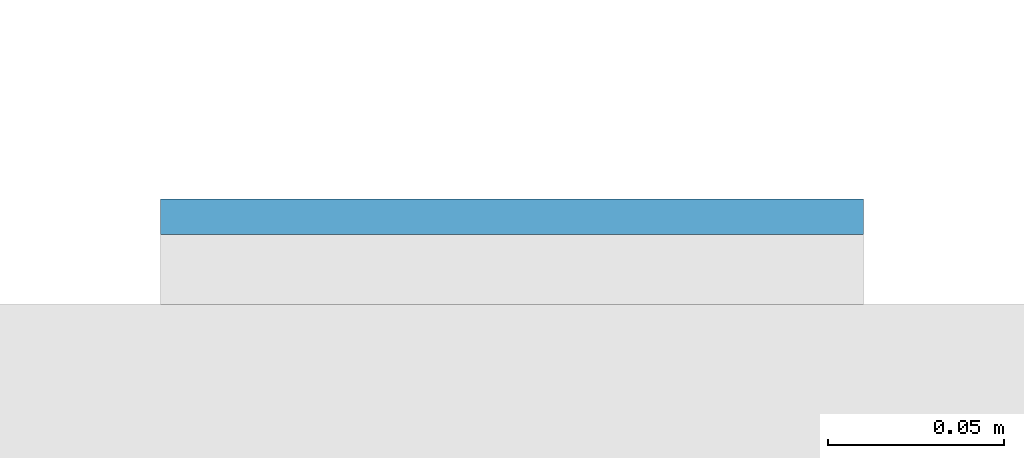
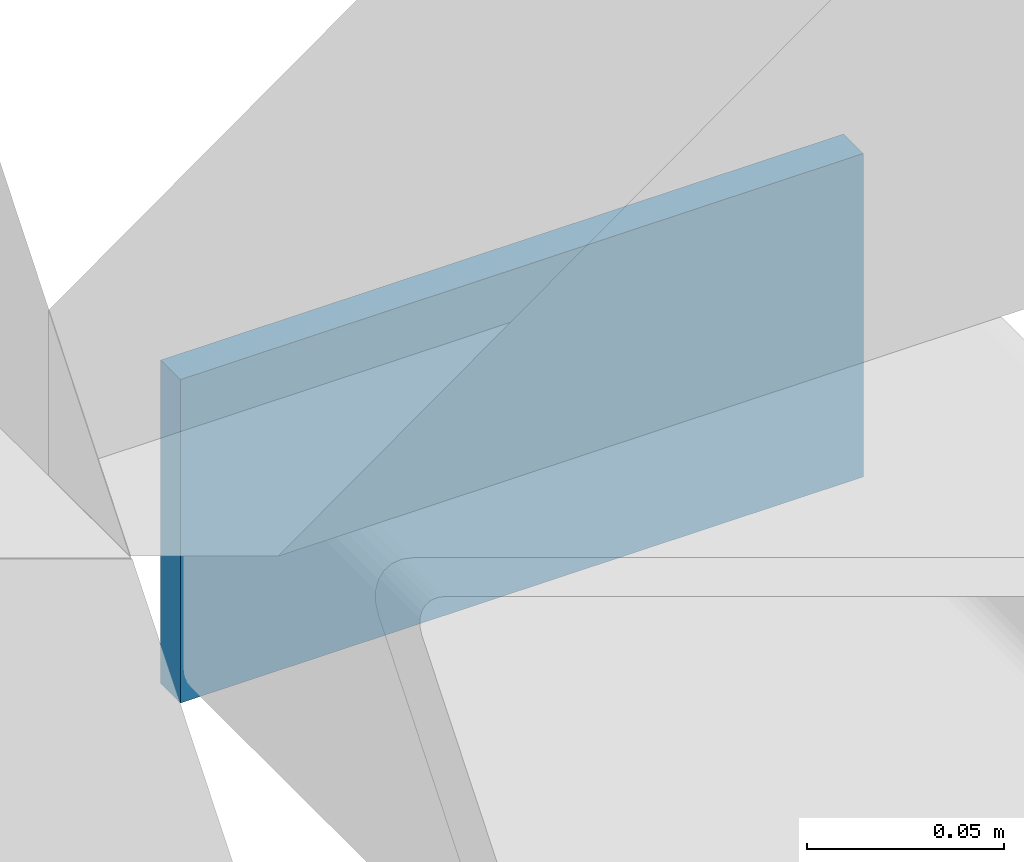
# One storey, part 6 of 12: 1 plate.
"""IFC4 building model written with IfcOpenShell, lengths in metres."""

from ifc_helpers import new_model, si_unit, direction, frame, origin, origin_2d, place, context, subcontext, project, spatial, rectangle, extrude, material, layer, layer_set, type_object, element, save


model = new_model("IFC4")

# Units and contexts
model_context = context("Model", 3, precision=1e-05, world=origin(), true_north=direction((0.0, 1.0)))
body_context = subcontext(model_context, "Body", "Model", "MODEL_VIEW")
ifc_project = project(units=[si_unit("LENGTHUNIT", "METRE"), si_unit("AREAUNIT", "SQUARE_METRE"), si_unit("VOLUMEUNIT", "CUBIC_METRE"), si_unit("PLANEANGLEUNIT", "RADIAN"), si_unit("MASSUNIT", "GRAM", prefix="KILO")], contexts=[model_context])

# Site, building, storey
site_placement = place(None, origin())
site = spatial("IfcSite", under=ifc_project, at=site_placement, CompositionType="ELEMENT")
building_placement = place(site_placement, origin())
building = spatial("IfcBuilding", under=site, at=building_placement, Name="Cleftline Residences", CompositionType="ELEMENT")
storey_placement = place(building_placement, frame((0.0, 0.0, 241.199951171875)))
storey = spatial("IfcBuildingStorey", under=building, at=storey_placement, Name="L63", CompositionType="ELEMENT", Elevation=241.199951171875)

# Plate
ifc_material = material(Name="Steel S355, hot-dip galvanised", Category="steel")
ifc_layer = layer(ifc_material, 0.010009765625)
ifc_layer_set = layer_set([ifc_layer], Name="BAGUETTE CARRIER END PLATE 200X100X10")
plate_type = type_object("IfcPlateType", Name="BAGUETTE CARRIER END PLATE 200X100X10", PredefinedType="USERDEFINED", material=ifc_layer_set)
plate_placement = place(storey_placement, frame((66.85009765625, 44.304931640625, -0.10009765625), z_axis=(0.0, 0.0, 1.0), x_axis=(1.0, 0.0, 0.0)))
element("IfcPlate", 1, at=plate_placement, inside=storey, type_object=plate_type, Name="Baguette carrier end plate", ObjectType="BAGUETTE CARRIER END PLATE", PredefinedType="USERDEFINED", context=body_context, shape_type="SweptSolid", body=[
    extrude(rectangle(XDim=0.199951171875, YDim=0.010009765625, at=origin_2d()), origin(), (0.0, 0.0, 1.0), 0.10009765625),
])

save(model, "model.ifc")
